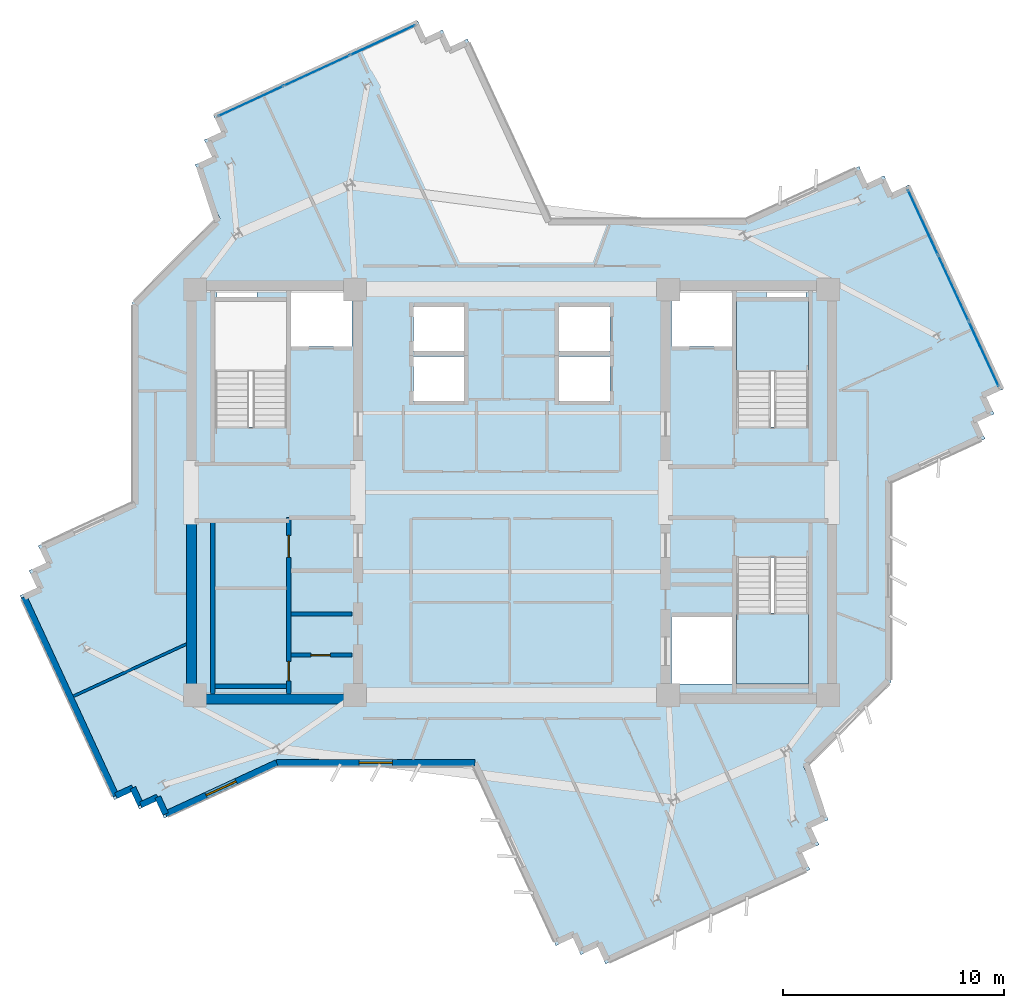
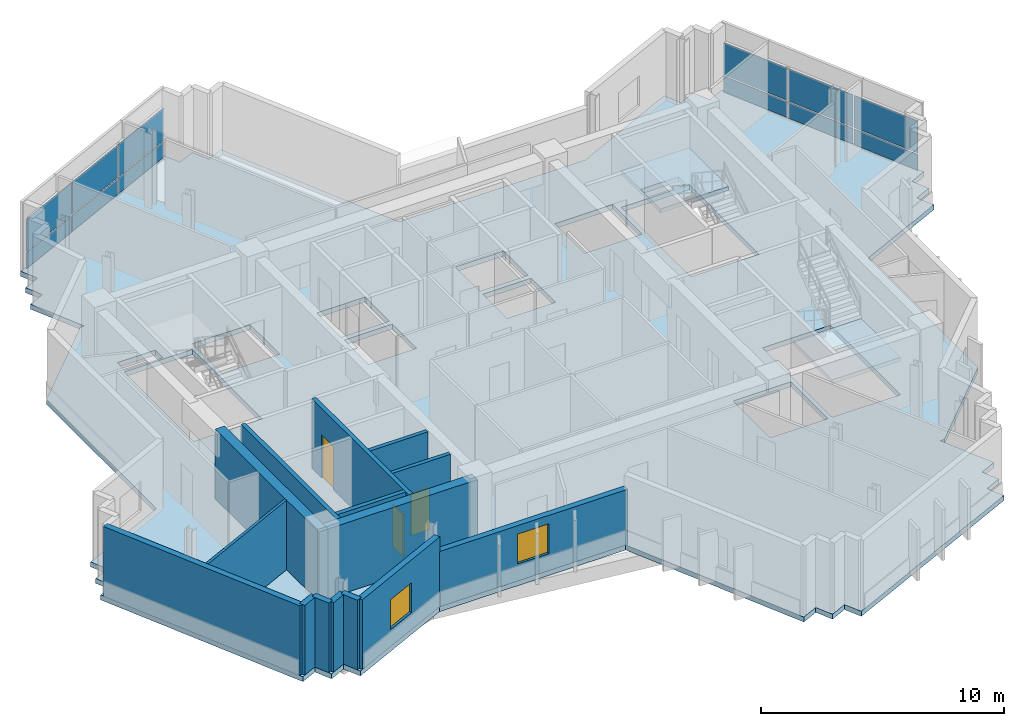
# One storey, part 4 of 12: 15 walls, 12 plates, 3 doors, 3 slabs, 2 windows, 5 openings, 4 elements without a shape of their own.
"""IFC4 building model written with IfcOpenShell, lengths in metres."""

from ifc_helpers import new_model, si_unit, direction, frame, frame_2d, origin, origin_2d, place, context, subcontext, project, spatial, polyline, rectangle, outline, extrude, source, transform, mapped, material, layer, layer_set, type_object, element, fill, aggregate, save


model = new_model("IFC4")

# Units and contexts
model_context = context("Model", 3, precision=1e-05, world=origin(), true_north=direction((0.0, 1.0)))
body_context = subcontext(model_context, "Body", "Model", "MODEL_VIEW")
ifc_project = project(units=[si_unit("LENGTHUNIT", "METRE"), si_unit("AREAUNIT", "SQUARE_METRE"), si_unit("VOLUMEUNIT", "CUBIC_METRE"), si_unit("PLANEANGLEUNIT", "RADIAN"), si_unit("MASSUNIT", "GRAM", prefix="KILO")], contexts=[model_context])

# Site, building, storey
site_placement = place(None, origin())
site = spatial("IfcSite", under=ifc_project, at=site_placement, CompositionType="ELEMENT")
building_placement = place(site_placement, origin())
building = spatial("IfcBuilding", under=site, at=building_placement, Name="Zahravan Cultural Tower", CompositionType="ELEMENT")
storey_placement = place(building_placement, frame((0.0, 0.0, 242.85009765625)))
storey = spatial("IfcBuildingStorey", under=building, at=storey_placement, Name="L57", CompositionType="ELEMENT", Elevation=242.85009765625)

# Stair, slab
ifc_material_1 = material(Name="Concrete C45/55", Category="concrete")
stair_type = type_object("IfcStairType", Name="STR-DL-1550-375", PredefinedType="HALF_TURN_STAIR", material=ifc_material_1)
stair_1_placement = place(storey_placement, origin())
stair_1 = element("IfcStair", 1, at=stair_1_placement, inside=storey, type_object=stair_type, Name="L57 East Core North Exit Stair ST-E1", PredefinedType="HALF_TURN_STAIR")
ifc_layer_1 = layer(ifc_material_1, 0.199951171875)
ifc_layer_set_1 = layer_set([ifc_layer_1], Name="Concrete C45/55")
slab_type_1 = type_object("IfcSlabType", Name="SL-STAIR-LND200", PredefinedType="LANDING", material=ifc_layer_set_1)
slab_1_placement = place(storey_placement, frame((0.0, 0.0, 1.6748046875)))
slab_1 = element("IfcSlab", 2, at=slab_1_placement, type_object=slab_type_1, Name="ST-E1 landing 1", PredefinedType="LANDING", context=body_context, shape_type="SweptSolid", body=[
    extrude(outline(polyline([(49.449951171875, 32.469970703125), (49.449951171875, 35.699951171875), (46.199951171875, 35.699951171875), (46.199951171875, 32.469970703125), (49.449951171875, 32.469970703125)])), origin(), (0.0, 0.0, 1.0), 0.2001953125),
])
aggregate(stair_1, [slab_1])

stair_2_placement = place(storey_placement, origin())
stair_2 = element("IfcStair", 3, at=stair_2_placement, inside=storey, type_object=stair_type, Name="L57 East Core South Exit Stair ST-E2", PredefinedType="HALF_TURN_STAIR")
slab_2_placement = place(storey_placement, frame((0.0, 0.0, 1.6748046875)))
slab_2 = element("IfcSlab", 4, at=slab_2_placement, type_object=slab_type_1, Name="ST-E2 landing 1", PredefinedType="LANDING", context=body_context, shape_type="SweptSolid", body=[
    extrude(outline(polyline([(46.199951171875, 21.530029296875), (46.199951171875, 18.300048828125), (49.449951171875, 18.300048828125), (49.449951171875, 21.530029296875), (46.199951171875, 21.530029296875)])), origin(), (0.0, 0.0, 1.0), 0.2001953125),
])
aggregate(stair_2, [slab_2])

# Slab
ifc_material_2 = material(Name="Concrete C40/50", Category="concrete")
ifc_layer_2 = layer(ifc_material_2, 0.25)
ifc_layer_set_2 = layer_set([ifc_layer_2], Name="Concrete C40/50")
slab_type_2 = type_object("IfcSlabType", Name="SL-TYP-250", PredefinedType="FLOOR", material=ifc_layer_set_2)
slab_3_placement = place(storey_placement, frame((0.0, 0.0, -0.25)))
element("IfcSlab", 5, at=slab_3_placement, inside=storey, type_object=slab_type_2, Name="L57 Structural Floor Slab", PredefinedType="FLOOR", context=body_context, shape_type="SweptSolid", body=[
    extrude(outline(polyline([(46.62451171875, 39.39990234375), (37.76123046875, 39.39990234375), (33.99365234375, 47.553955078125), (33.221923828125, 47.197509765625), (32.865478515625, 47.968994140625), (32.09375, 47.612548828125), (31.7373046875, 48.384033203125), (22.47802734375, 44.105712890625), (22.83447265625, 43.333984375), (22.06298828125, 42.9775390625), (22.41943359375, 42.205810546875), (21.647705078125, 41.849365234375), (22.779541015625, 39.39990234375), (22.60009765625, 39.39990234375), (18.800048828125, 35.60009765625), (18.800048828125, 26.543212890625), (14.538330078125, 24.57421875), (14.894775390625, 23.802490234375), (14.123291015625, 23.446044921875), (14.479736328125, 22.67431640625), (13.7080078125, 22.31787109375), (17.986572265625, 13.05859375), (18.75830078125, 13.4150390625), (19.11474609375, 12.643310546875), (19.88623046875, 13.0), (20.242919921875, 12.228271484375), (25.37548828125, 14.60009765625), (34.23876953125, 14.60009765625), (38.00634765625, 6.446044921875), (38.778076171875, 6.802490234375), (39.134521484375, 6.031005859375), (39.90625, 6.387451171875), (40.2626953125, 5.615966796875), (49.52197265625, 9.894287109375), (49.16552734375, 10.666015625), (49.93701171875, 11.0224609375), (49.58056640625, 11.794189453125), (50.352294921875, 12.150634765625), (49.220458984375, 14.60009765625), (49.39990234375, 14.60009765625), (53.199951171875, 18.39990234375), (53.199951171875, 27.456787109375), (57.461669921875, 29.42578125), (57.105224609375, 30.197509765625), (57.876708984375, 30.553955078125), (57.520263671875, 31.32568359375), (58.2919921875, 31.68212890625), (54.013427734375, 40.94140625), (53.24169921875, 40.5849609375), (52.88525390625, 41.356689453125), (52.11376953125, 41.0), (51.757080078125, 41.771728515625), (46.62451171875, 39.39990234375)]), holes=[polyline([(22.550048828125, 29.949951171875), (22.550048828125, 35.699951171875), (25.800048828125, 35.699951171875), (25.800048828125, 29.949951171875), (22.550048828125, 29.949951171875)]), polyline([(46.199951171875, 29.949951171875), (46.199951171875, 35.699951171875), (49.449951171875, 35.699951171875), (49.449951171875, 29.949951171875), (46.199951171875, 29.949951171875)]), polyline([(46.199951171875, 18.300048828125), (46.199951171875, 24.050048828125), (49.449951171875, 24.050048828125), (49.449951171875, 18.300048828125), (46.199951171875, 18.300048828125)]), polyline([(26.0, 33.60009765625), (26.0, 36.050048828125), (28.75, 36.050048828125), (28.75, 33.60009765625), (26.0, 33.60009765625)]), polyline([(43.25, 33.60009765625), (43.25, 36.050048828125), (46.0, 36.050048828125), (46.0, 33.60009765625), (43.25, 33.60009765625)]), polyline([(43.25, 18.300048828125), (43.25, 21.35009765625), (46.0, 21.35009765625), (46.0, 18.300048828125), (43.25, 18.300048828125)]), polyline([(31.550048828125, 33.39990234375), (31.550048828125, 35.39990234375), (33.85009765625, 35.39990234375), (33.85009765625, 33.39990234375), (31.550048828125, 33.39990234375)]), polyline([(31.550048828125, 31.14990234375), (31.550048828125, 33.14990234375), (33.85009765625, 33.14990234375), (33.85009765625, 31.14990234375), (31.550048828125, 31.14990234375)]), polyline([(38.14990234375, 33.39990234375), (38.14990234375, 35.39990234375), (40.449951171875, 35.39990234375), (40.449951171875, 33.39990234375), (38.14990234375, 33.39990234375)]), polyline([(38.14990234375, 31.14990234375), (38.14990234375, 33.14990234375), (40.449951171875, 33.14990234375), (40.449951171875, 31.14990234375), (38.14990234375, 31.14990234375)]), polyline([(22.64990234375, 35.800048828125), (22.64990234375, 36.419921875), (24.449951171875, 36.419921875), (24.449951171875, 35.800048828125), (22.64990234375, 35.800048828125)]), polyline([(47.550048828125, 35.800048828125), (47.550048828125, 36.419921875), (49.35009765625, 36.419921875), (49.35009765625, 35.800048828125), (47.550048828125, 35.800048828125)])]), origin(), (0.0, 0.0, 1.0), 0.25),
])

# Curtain wall, plates
ifc_material_3 = material(Name="Anodised bronze-aluminium mullion", Category="aluminium")
ifc_layer_3 = layer(ifc_material_3, 0.179931640625)
ifc_layer_set_3 = layer_set([ifc_layer_3], Name="Anodised bronze-aluminium mullion")
curtain_wall_type_1 = type_object("IfcCurtainWallType", Name="CW-SYS-3", PredefinedType="USERDEFINED", material=ifc_layer_set_3)
curtain_wall_1_placement = place(storey_placement, origin())
curtain_wall_1 = element("IfcCurtainWall", 6, at=curtain_wall_1_placement, inside=storey, type_object=curtain_wall_type_1, Name="L57 Recessed Curtain Wall CW-3.1", ObjectType="RECESSED GLAZING", PredefinedType="USERDEFINED")
ifc_material_4 = material(Name="Low-E solar-control double glazing", Category="glass")
ifc_layer_4 = layer(ifc_material_4, 0.028076171875)
ifc_layer_set_4 = layer_set([ifc_layer_4], Name="Low-E solar-control double glazing")
plate_type_1 = type_object("IfcPlateType", Name="CWP-CW-3", PredefinedType="CURTAIN_PANEL", material=ifc_layer_set_4)
shared_shape_1 = source(origin(), body_context, "Body", "SweptSolid", [
    extrude(rectangle(XDim=3.20166015625, YDim=0.028076171875, at=origin_2d()), origin(), (0.0, 0.0, 1.0), 0.794921875),
])
plate_1_placement = place(storey_placement, frame((54.64599609375, 39.239013671875, 0.06982421875), z_axis=(0.0, 0.0, 1.0), x_axis=(0.419457036846, -0.907775189262, 0.0)))
plate_1 = element("IfcPlate", 7, at=plate_1_placement, type_object=plate_type_1, Name="CW-3 panel 1.1", PredefinedType="CURTAIN_PANEL", context=body_context, shape_type="MappedRepresentation", body=[
    mapped(shared_shape_1, transform((0.0, 0.0, 0.0), x_axis=(1.0, 0.0, 0.0), y_axis=(0.0, 1.0, 0.0), z_axis=(0.0, 0.0, 1.0), scale=1.0)),
])
plate_2_placement = place(storey_placement, frame((57.4052734375, 33.267333984375, 0.06982421875), z_axis=(0.0, 0.0, 1.0), x_axis=(0.419457036846, -0.907775189262, 0.0)))
plate_2 = element("IfcPlate", 8, at=plate_2_placement, type_object=plate_type_1, Name="CW-3 panel 3.1", PredefinedType="CURTAIN_PANEL", context=body_context, shape_type="MappedRepresentation", body=[
    mapped(shared_shape_1, transform((0.0, 0.0, 0.0), x_axis=(1.0, 0.0, 0.0), y_axis=(0.0, 1.0, 0.0), z_axis=(0.0, 0.0, 1.0), scale=1.0)),
])
shared_shape_2 = source(origin(), body_context, "Body", "SweptSolid", [
    extrude(rectangle(XDim=3.236572265625, YDim=0.028076171875, at=origin_2d()), origin(), (0.0, 0.0, 1.0), 0.794921875),
])
plate_3_placement = place(storey_placement, frame((56.025634765625, 36.253173828125, 0.06982421875), z_axis=(0.0, 0.0, 1.0), x_axis=(0.419457036846, -0.907775189262, 0.0)))
plate_3 = element("IfcPlate", 9, at=plate_3_placement, type_object=plate_type_1, Name="CW-3 panel 2.1", PredefinedType="CURTAIN_PANEL", context=body_context, shape_type="MappedRepresentation", body=[
    mapped(shared_shape_2, transform((0.0, 0.0, 0.0), x_axis=(1.0, 0.0, 0.0), y_axis=(0.0, 1.0, 0.0), z_axis=(0.0, 0.0, 1.0), scale=1.0)),
])

ifc_layer_5 = layer(ifc_material_3, 0.1650390625)
ifc_layer_set_5 = layer_set([ifc_layer_5], Name="Anodised bronze-aluminium mullion")
curtain_wall_type_2 = type_object("IfcCurtainWallType", Name="CW-SYS-4", PredefinedType="USERDEFINED", material=ifc_layer_set_5)
curtain_wall_2_placement = place(storey_placement, origin())
curtain_wall_2 = element("IfcCurtainWall", 10, at=curtain_wall_2_placement, inside=storey, type_object=curtain_wall_type_2, Name="L57 Recessed Curtain Wall CW-4.2", ObjectType="RECESSED GLAZING", PredefinedType="USERDEFINED")
ifc_layer_6 = layer(ifc_material_4, 0.02587890625)
ifc_layer_set_6 = layer_set([ifc_layer_6], Name="Low-E solar-control double glazing")
plate_type_2 = type_object("IfcPlateType", Name="CWP-CW-4", PredefinedType="CURTAIN_PANEL", material=ifc_layer_set_6)
shared_shape_3 = source(origin(), body_context, "Body", "SweptSolid", [
    extrude(rectangle(XDim=3.209228515625, YDim=0.02587890625, at=origin_2d()), origin(), (0.0, 0.0, 1.0), 0.802490234375),
])
plate_4_placement = place(storey_placement, frame((24.179443359375, 44.737548828125, 0.06494140625), z_axis=(0.0, 0.0, 1.0), x_axis=(0.907775189262, 0.419457036846, 0.0)))
plate_4 = element("IfcPlate", 11, at=plate_4_placement, type_object=plate_type_2, Name="CW-4 panel 1.1", PredefinedType="CURTAIN_PANEL", context=body_context, shape_type="MappedRepresentation", body=[
    mapped(shared_shape_3, transform((0.0, 0.0, 0.0), x_axis=(1.0, 0.0, 0.0), y_axis=(0.0, 1.0, 0.0), z_axis=(0.0, 0.0, 1.0), scale=1.0)),
])
plate_5_placement = place(storey_placement, frame((30.1533203125, 47.498046875, 0.06494140625), z_axis=(0.0, 0.0, 1.0), x_axis=(0.907775189262, 0.419457036846, 0.0)))
plate_5 = element("IfcPlate", 12, at=plate_5_placement, type_object=plate_type_2, Name="CW-4 panel 3.1", PredefinedType="CURTAIN_PANEL", context=body_context, shape_type="MappedRepresentation", body=[
    mapped(shared_shape_3, transform((0.0, 0.0, 0.0), x_axis=(1.0, 0.0, 0.0), y_axis=(0.0, 1.0, 0.0), z_axis=(0.0, 0.0, 1.0), scale=1.0)),
])
shared_shape_4 = source(origin(), body_context, "Body", "SweptSolid", [
    extrude(rectangle(XDim=3.24169921875, YDim=0.02587890625, at=origin_2d()), origin(), (0.0, 0.0, 1.0), 0.802490234375),
])
plate_6_placement = place(storey_placement, frame((27.166259765625, 46.117919921875, 0.06494140625), z_axis=(0.0, 0.0, 1.0), x_axis=(0.907775189262, 0.419457036846, 0.0)))
plate_6 = element("IfcPlate", 13, at=plate_6_placement, type_object=plate_type_2, Name="CW-4 panel 2.1", PredefinedType="CURTAIN_PANEL", context=body_context, shape_type="MappedRepresentation", body=[
    mapped(shared_shape_4, transform((0.0, 0.0, 0.0), x_axis=(1.0, 0.0, 0.0), y_axis=(0.0, 1.0, 0.0), z_axis=(0.0, 0.0, 1.0), scale=1.0)),
])

# Plate
shared_shape_5 = source(origin(), body_context, "Body", "SweptSolid", [
    extrude(rectangle(XDim=3.20166015625, YDim=0.028076171875, at=origin_2d()), origin(), (0.0, 0.0, 1.0), 1.614990234375),
])
plate_7_placement = place(storey_placement, frame((54.64599609375, 39.239013671875, 0.93505859375), z_axis=(0.0, 0.0, 1.0), x_axis=(0.419457036846, -0.907775189262, 0.0)))
plate_7 = element("IfcPlate", 14, at=plate_7_placement, type_object=plate_type_1, Name="CW-3 panel 1.2", PredefinedType="CURTAIN_PANEL", context=body_context, shape_type="MappedRepresentation", body=[
    mapped(shared_shape_5, transform((0.0, 0.0, 0.0), x_axis=(1.0, 0.0, 0.0), y_axis=(0.0, 1.0, 0.0), z_axis=(0.0, 0.0, 1.0), scale=1.0)),
])

plate_8_placement = place(storey_placement, frame((57.4052734375, 33.267333984375, 0.93505859375), z_axis=(0.0, 0.0, 1.0), x_axis=(0.419457036846, -0.907775189262, 0.0)))
plate_8 = element("IfcPlate", 15, at=plate_8_placement, type_object=plate_type_1, Name="CW-3 panel 3.2", PredefinedType="CURTAIN_PANEL", context=body_context, shape_type="MappedRepresentation", body=[
    mapped(shared_shape_5, transform((0.0, 0.0, 0.0), x_axis=(1.0, 0.0, 0.0), y_axis=(0.0, 1.0, 0.0), z_axis=(0.0, 0.0, 1.0), scale=1.0)),
])

shared_shape_6 = source(origin(), body_context, "Body", "SweptSolid", [
    extrude(rectangle(XDim=3.236572265625, YDim=0.028076171875, at=origin_2d()), origin(), (0.0, 0.0, 1.0), 1.614990234375),
])
plate_9_placement = place(storey_placement, frame((56.025634765625, 36.253173828125, 0.93505859375), z_axis=(0.0, 0.0, 1.0), x_axis=(0.419457036846, -0.907775189262, 0.0)))
plate_9 = element("IfcPlate", 16, at=plate_9_placement, type_object=plate_type_1, Name="CW-3 panel 2.2", PredefinedType="CURTAIN_PANEL", context=body_context, shape_type="MappedRepresentation", body=[
    mapped(shared_shape_6, transform((0.0, 0.0, 0.0), x_axis=(1.0, 0.0, 0.0), y_axis=(0.0, 1.0, 0.0), z_axis=(0.0, 0.0, 1.0), scale=1.0)),
])

aggregate(curtain_wall_1, [plate_1, plate_7, plate_3, plate_9, plate_2, plate_8])

shared_shape_7 = source(origin(), body_context, "Body", "SweptSolid", [
    extrude(rectangle(XDim=3.209228515625, YDim=0.02587890625, at=origin_2d()), origin(), (0.0, 0.0, 1.0), 1.62255859375),
])
plate_10_placement = place(storey_placement, frame((24.179443359375, 44.737548828125, 0.932373046875), z_axis=(0.0, 0.0, 1.0), x_axis=(0.907775189262, 0.419457036846, 0.0)))
plate_10 = element("IfcPlate", 17, at=plate_10_placement, type_object=plate_type_2, Name="CW-4 panel 1.2", PredefinedType="CURTAIN_PANEL", context=body_context, shape_type="MappedRepresentation", body=[
    mapped(shared_shape_7, transform((0.0, 0.0, 0.0), x_axis=(1.0, 0.0, 0.0), y_axis=(0.0, 1.0, 0.0), z_axis=(0.0, 0.0, 1.0), scale=1.0)),
])

plate_11_placement = place(storey_placement, frame((30.1533203125, 47.498046875, 0.932373046875), z_axis=(0.0, 0.0, 1.0), x_axis=(0.907775189262, 0.419457036846, 0.0)))
plate_11 = element("IfcPlate", 18, at=plate_11_placement, type_object=plate_type_2, Name="CW-4 panel 3.2", PredefinedType="CURTAIN_PANEL", context=body_context, shape_type="MappedRepresentation", body=[
    mapped(shared_shape_7, transform((0.0, 0.0, 0.0), x_axis=(1.0, 0.0, 0.0), y_axis=(0.0, 1.0, 0.0), z_axis=(0.0, 0.0, 1.0), scale=1.0)),
])

shared_shape_8 = source(origin(), body_context, "Body", "SweptSolid", [
    extrude(rectangle(XDim=3.24169921875, YDim=0.02587890625, at=origin_2d()), origin(), (0.0, 0.0, 1.0), 1.62255859375),
])
plate_12_placement = place(storey_placement, frame((27.166259765625, 46.117919921875, 0.932373046875), z_axis=(0.0, 0.0, 1.0), x_axis=(0.907775189262, 0.419457036846, 0.0)))
plate_12 = element("IfcPlate", 19, at=plate_12_placement, type_object=plate_type_2, Name="CW-4 panel 2.2", PredefinedType="CURTAIN_PANEL", context=body_context, shape_type="MappedRepresentation", body=[
    mapped(shared_shape_8, transform((0.0, 0.0, 0.0), x_axis=(1.0, 0.0, 0.0), y_axis=(0.0, 1.0, 0.0), z_axis=(0.0, 0.0, 1.0), scale=1.0)),
])

aggregate(curtain_wall_2, [plate_4, plate_10, plate_6, plate_12, plate_5, plate_11])

# Wall, opening, window
ifc_material_5 = material(Name="Precast concrete C40/50", Category="concrete")
ifc_layer_7 = layer(ifc_material_5, 0.280029296875)
ifc_layer_set_7 = layer_set([ifc_layer_7], Name="Precast concrete C40/50")
wall_type_1 = type_object("IfcWallType", Name="EW-TC-280", PredefinedType="SOLIDWALL", material=ifc_layer_set_7)
wall_1_placement = place(storey_placement, frame((34.328369140625, 14.739990234375, 0.0), z_axis=(0.0, 0.0, 1.0), x_axis=(-1.0, 0.0, 0.0)))
wall_1 = element("IfcWall", 20, at=wall_1_placement, inside=storey, type_object=wall_type_1, Name="L57 Exterior Masonry Frame Wall 24", PredefinedType="SOLIDWALL", context=body_context, shape_type="SweptSolid", body=[
    extrude(rectangle(XDim=8.983642578125, YDim=0.280029296875, at=frame_2d((4.49169921875, 0.0))), origin(), (0.0, 0.0, 1.0), 2.77197265625),
])
opening_1_placement = place(wall_1_placement, frame((3.741943359375, 0.0, 0.85009765625)))
opening_1 = element("IfcOpeningElement", 21, at=opening_1_placement, cuts=wall_1, Name="Opening WN-03", PredefinedType="OPENING", context=body_context, shape_type="SweptSolid", body=[
    extrude(rectangle(XDim=1.5, YDim=1.5, at=frame_2d((0.75, 0.75))), frame((0.0, 0.14990234375, 0.0), z_axis=(0.0, -1.0, 0.0), x_axis=(1.0, 0.0, 0.0)), (0.0, 0.0, 1.0), 0.300048828125),
])
window_type = type_object("IfcWindowType", Name="WN-REC-1500X1500", PartitioningType="SINGLE_PANEL", PredefinedType="WINDOW", material=ifc_material_4)
shared_shape_9 = source(origin(), body_context, "Body", "SweptSolid", [
    extrude(rectangle(XDim=1.5, YDim=1.5, at=frame_2d((0.75, 0.75))), frame((0.0, 0.030029296875, 0.0), z_axis=(0.0, -1.0, 0.0), x_axis=(1.0, 0.0, 0.0)), (0.0, 0.0, 1.0), 0.06005859375),
])
window_1_placement = place(opening_1_placement, origin())
window_1 = element("IfcWindow", 22, at=window_1_placement, inside=storey, type_object=window_type, Name="L57 Recessed Solar Window 06", OverallHeight=1.5, OverallWidth=1.5, PartitioningType="SINGLE_PANEL", PredefinedType="WINDOW", context=body_context, shape_type="MappedRepresentation", body=[
    mapped(shared_shape_9, transform((0.0, 0.0, 0.0), x_axis=(1.0, 0.0, 0.0), y_axis=(0.0, 1.0, 0.0), z_axis=(0.0, 0.0, 1.0), scale=1.0)),
])
fill(opening_1, window_1)

wall_2_placement = place(storey_placement, frame((25.3447265625, 14.739990234375, 0.0), z_axis=(0.0, 0.0, 1.0), x_axis=(-0.907767275269, -0.419474163627, 0.0)))
wall_2 = element("IfcWall", 23, at=wall_2_placement, inside=storey, type_object=wall_type_1, Name="L57 Exterior Masonry Frame Wall 25", PredefinedType="SOLIDWALL", context=body_context, shape_type="SweptSolid", body=[
    extrude(rectangle(XDim=5.544921875, YDim=0.280029296875, at=frame_2d((2.7724609375, 0.0))), origin(), (0.0, 0.0, 1.0), 3.5),
])
opening_2_placement = place(wall_2_placement, frame((2.02197265625, 0.0, 0.85009765625)))
opening_2 = element("IfcOpeningElement", 24, at=opening_2_placement, cuts=wall_2, Name="Opening WN-03", PredefinedType="OPENING", context=body_context, shape_type="SweptSolid", body=[
    extrude(rectangle(XDim=1.5, YDim=1.5, at=frame_2d((0.75, 0.75))), frame((0.0, 0.14990234375, 0.0), z_axis=(0.0, -1.0, 0.0), x_axis=(1.0, 0.0, 0.0)), (0.0, 0.0, 1.0), 0.300048828125),
])
window_2_placement = place(opening_2_placement, origin())
window_2 = element("IfcWindow", 25, at=window_2_placement, inside=storey, type_object=window_type, Name="L57 Recessed Solar Window 07", OverallHeight=1.5, OverallWidth=1.5, PartitioningType="SINGLE_PANEL", PredefinedType="WINDOW", context=body_context, shape_type="MappedRepresentation", body=[
    mapped(shared_shape_9, transform((0.0, 0.0, 0.0), x_axis=(1.0, 0.0, 0.0), y_axis=(0.0, 1.0, 0.0), z_axis=(0.0, 0.0, 1.0), scale=1.0)),
])
fill(opening_2, window_2)

# Wall, opening, door
ifc_material_6 = material(Name="Gypsum plasterboard partition")
ifc_layer_8 = layer(ifc_material_6, 0.179931640625)
ifc_layer_set_8 = layer_set([ifc_layer_8], Name="Gypsum plasterboard partition")
wall_type_2 = type_object("IfcWallType", Name="W-COMP-180", PredefinedType="PARTITIONING", material=ifc_layer_set_8)
wall_3_placement = place(storey_placement, frame((26.0, 19.6201171875, 0.0), z_axis=(0.0, 0.0, 1.0), x_axis=(1.0, 0.0, 0.0)))
wall_3 = element("IfcWall", 26, at=wall_3_placement, inside=storey, type_object=wall_type_2, Name="L57 Interior Wall 027", PredefinedType="PARTITIONING", context=body_context, shape_type="SweptSolid", body=[
    extrude(rectangle(XDim=2.75, YDim=0.179931640625, at=frame_2d((1.375, 0.0))), origin(), (0.0, 0.0, 1.0), 3.5),
])
opening_3_placement = place(wall_3_placement, frame((0.89990234375, 0.0, 0.0)))
opening_3 = element("IfcOpeningElement", 27, at=opening_3_placement, cuts=wall_3, Name="Opening D-L57-10", PredefinedType="OPENING", context=body_context, shape_type="SweptSolid", body=[
    extrude(rectangle(XDim=0.8798828125, YDim=2.10009765625, at=frame_2d((0.43994140625, 1.050048828125))), frame((0.0, 0.099853515625, 0.0), z_axis=(0.0, -1.0, 0.0), x_axis=(1.0, 0.0, 0.0)), (0.0, 0.0, 1.0), 0.199951171875),
])
ifc_material_7 = material(Name="Steel ASTM A572 Grade 50", Category="steel")
door_type_1 = type_object("IfcDoorType", Name="DR-SVC-880", OperationType="NOTDEFINED", PredefinedType="DOOR", material=ifc_material_7)
shared_shape_10 = source(origin(), body_context, "Body", "SweptSolid", [
    extrude(rectangle(XDim=0.8798828125, YDim=2.10009765625, at=frame_2d((0.43994140625, 1.050048828125))), frame((0.0, 0.02490234375, 0.0), z_axis=(0.0, -1.0, 0.0), x_axis=(1.0, 0.0, 0.0)), (0.0, 0.0, 1.0), 0.050048828125),
])
door_1_placement = place(opening_3_placement, origin())
door_1 = element("IfcDoor", 28, at=door_1_placement, inside=storey, type_object=door_type_1, Name="L57 Door D-L57-10", OperationType="SINGLE_SWING_RIGHT", OverallHeight=2.10009765625, OverallWidth=0.8798828125, PredefinedType="DOOR", context=body_context, shape_type="MappedRepresentation", body=[
    mapped(shared_shape_10, transform((0.0, 0.0, 0.0), x_axis=(1.0, 0.0, 0.0), y_axis=(0.0, 1.0, 0.0), z_axis=(0.0, 0.0, 1.0), scale=1.0)),
])
fill(opening_3, door_1)

# Wall, openings, doors
ifc_layer_9 = layer(ifc_material_1, 0.199951171875)
ifc_layer_set_9 = layer_set([ifc_layer_9], Name="Concrete C45/55")
wall_type_3 = type_object("IfcWallType", Name="W-SHAFT-200", PredefinedType="SOLIDWALL", material=ifc_layer_set_9)
wall_4_placement = place(storey_placement, frame((25.89990234375, 17.85009765625, 0.0), z_axis=(0.0, 0.0, 1.0), x_axis=(0.0, 1.0, 0.0)))
wall_4 = element("IfcWall", 29, at=wall_4_placement, inside=storey, type_object=wall_type_3, Name="L57 Interior Wall 005", PredefinedType="SOLIDWALL", context=body_context, shape_type="SweptSolid", body=[
    extrude(rectangle(XDim=8.0, YDim=0.199951171875, at=frame_2d((4.0, 0.0))), origin(), (0.0, 0.0, 1.0), 3.5),
])
opening_4_placement = place(wall_4_placement, frame((6.199951171875, 0.0, 0.0)))
opening_4 = element("IfcOpeningElement", 30, at=opening_4_placement, cuts=wall_4, Name="Opening D-L57-04", PredefinedType="OPENING", context=body_context, shape_type="SweptSolid", body=[
    extrude(rectangle(XDim=1.0, YDim=2.14990234375, at=frame_2d((0.5, 1.074951171875))), frame((0.0, 0.10986328125, 0.0), z_axis=(0.0, -1.0, 0.0), x_axis=(1.0, 0.0, 0.0)), (0.0, 0.0, 1.0), 0.219970703125),
])
opening_5_placement = place(wall_4_placement, frame((0.60009765625, 0.0, 0.0)))
opening_5 = element("IfcOpeningElement", 31, at=opening_5_placement, cuts=wall_4, Name="Opening D-L57-05", PredefinedType="OPENING", context=body_context, shape_type="SweptSolid", body=[
    extrude(rectangle(XDim=0.8798828125, YDim=2.10009765625, at=frame_2d((0.43994140625, 1.050048828125))), frame((0.0, 0.10986328125, 0.0), z_axis=(0.0, -1.0, 0.0), x_axis=(1.0, 0.0, 0.0)), (0.0, 0.0, 1.0), 0.219970703125),
])
door_2_placement = place(opening_5_placement, origin())
door_2 = element("IfcDoor", 32, at=door_2_placement, inside=storey, type_object=door_type_1, Name="L57 Door D-L57-05", OperationType="SINGLE_SWING_LEFT", OverallHeight=2.10009765625, OverallWidth=0.8798828125, PredefinedType="DOOR", context=body_context, shape_type="MappedRepresentation", body=[
    mapped(shared_shape_10, transform((0.0, 0.0, 0.0), x_axis=(1.0, 0.0, 0.0), y_axis=(0.0, 1.0, 0.0), z_axis=(0.0, 0.0, 1.0), scale=1.0)),
])
fill(opening_5, door_2)
door_type_2 = type_object("IfcDoorType", Name="DR-COMP-1000", OperationType="NOTDEFINED", PredefinedType="DOOR", material=ifc_material_7)
shared_shape_11 = source(origin(), body_context, "Body", "SweptSolid", [
    extrude(rectangle(XDim=1.0, YDim=2.14990234375, at=frame_2d((0.5, 1.074951171875))), frame((0.0, 0.02490234375, 0.0), z_axis=(0.0, -1.0, 0.0), x_axis=(1.0, 0.0, 0.0)), (0.0, 0.0, 1.0), 0.050048828125),
])
door_3_placement = place(opening_4_placement, origin())
door_3 = element("IfcDoor", 33, at=door_3_placement, inside=storey, type_object=door_type_2, Name="L57 Door D-L57-04", OperationType="SINGLE_SWING_RIGHT", OverallHeight=2.14990234375, OverallWidth=1.0, PredefinedType="DOOR", context=body_context, shape_type="MappedRepresentation", body=[
    mapped(shared_shape_11, transform((0.0, 0.0, 0.0), x_axis=(1.0, 0.0, 0.0), y_axis=(0.0, 1.0, 0.0), z_axis=(0.0, 0.0, 1.0), scale=1.0)),
])
fill(opening_4, door_3)

# Walls
ifc_material_8 = material(Name="Concrete C50/60", Category="concrete")
ifc_layer_10 = layer(ifc_material_8, 0.449951171875)
ifc_layer_set_10 = layer_set([ifc_layer_10], Name="Concrete C50/60")
wall_type_4 = type_object("IfcWallType", Name="CW-SHEAR-450-C50", PredefinedType="SHEAR", material=ifc_layer_set_10)
shared_shape_12 = source(origin(), body_context, "Body", "SweptSolid", [
    extrude(rectangle(XDim=8.550048828125, YDim=0.449951171875, at=frame_2d((4.27490234375, 0.0))), origin(), (0.0, 0.0, 1.0), 3.5),
])
wall_5_placement = place(storey_placement, frame((21.47509765625, 17.39990234375, 0.0), z_axis=(0.0, 0.0, 1.0), x_axis=(0.0, 1.0, 0.0)))
element("IfcWall", 34, at=wall_5_placement, inside=storey, type_object=wall_type_4, Name="L57 Core Shear Wall CW-W-WS-L57", PredefinedType="SHEAR", context=body_context, shape_type="MappedRepresentation", body=[
    mapped(shared_shape_12, transform((0.0, 0.0, 0.0), x_axis=(1.0, 0.0, 0.0), y_axis=(0.0, 1.0, 0.0), z_axis=(0.0, 0.0, 1.0), scale=1.0)),
])
shared_shape_13 = source(origin(), body_context, "Body", "SweptSolid", [
    extrude(rectangle(XDim=7.10009765625, YDim=0.449951171875, at=frame_2d((3.550048828125, 0.0))), origin(), (0.0, 0.0, 1.0), 3.5),
])
wall_6_placement = place(storey_placement, frame((21.699951171875, 17.625, 0.0), z_axis=(0.0, 0.0, 1.0), x_axis=(1.0, 0.0, 0.0)))
element("IfcWall", 35, at=wall_6_placement, inside=storey, type_object=wall_type_4, Name="L57 Core Shear Wall CW-W-S-L57", PredefinedType="SHEAR", context=body_context, shape_type="MappedRepresentation", body=[
    mapped(shared_shape_13, transform((0.0, 0.0, 0.0), x_axis=(1.0, 0.0, 0.0), y_axis=(0.0, 1.0, 0.0), z_axis=(0.0, 0.0, 1.0), scale=1.0)),
])
shared_shape_14 = source(origin(), body_context, "Body", "SweptSolid", [
    extrude(rectangle(XDim=0.85009765625, YDim=0.280029296875, at=frame_2d((0.425048828125, 0.0))), origin(), (0.0, 0.0, 1.0), 3.5),
])
for number, where, z_axis, x_axis, name in (
    (36, (20.311279296875, 12.4140625, 0.0), (0.0, 0.0, 1.0), (-0.419549800563, 0.907732320041, 0.0), "L57 Exterior Masonry Frame Wall 26"),
    (37, (19.18310546875, 12.8291015625, 0.0), (0.0, 0.0, 1.0), (-0.419313139191, 0.907841666427, 0.0), "L57 Exterior Masonry Frame Wall 28"),
    (38, (18.82666015625, 13.600830078125, 0.0), (0.0, 0.0, 1.0), (-0.907841666427, -0.419313139191, 0.0), "L57 Exterior Masonry Frame Wall 29"),
):
    element("IfcWall", number, at=place(storey_placement, frame(where, z_axis=z_axis, x_axis=x_axis)), inside=storey, type_object=wall_type_1, Name=name, PredefinedType="SOLIDWALL", context=body_context, shape_type="MappedRepresentation", body=[
        mapped(shared_shape_14, transform((0.0, 0.0, 0.0), x_axis=(1.0, 0.0, 0.0), y_axis=(0.0, 1.0, 0.0), z_axis=(0.0, 0.0, 1.0), scale=1.0)),
    ])
shared_shape_15 = source(origin(), body_context, "Body", "SweptSolid", [
    extrude(rectangle(XDim=0.849853515625, YDim=0.280029296875, at=frame_2d((0.4248046875, 0.0))), origin(), (0.0, 0.0, 1.0), 3.5),
])
wall_7_placement = place(storey_placement, frame((19.95458984375, 13.185791015625, 0.0), z_axis=(0.0, 0.0, 1.0), x_axis=(-0.907681752694, -0.41965919009, 0.0)))
element("IfcWall", 39, at=wall_7_placement, inside=storey, type_object=wall_type_1, Name="L57 Exterior Masonry Frame Wall 27", PredefinedType="SOLIDWALL", context=body_context, shape_type="MappedRepresentation", body=[
    mapped(shared_shape_15, transform((0.0, 0.0, 0.0), x_axis=(1.0, 0.0, 0.0), y_axis=(0.0, 1.0, 0.0), z_axis=(0.0, 0.0, 1.0), scale=1.0)),
])
shared_shape_16 = source(origin(), body_context, "Body", "SweptSolid", [
    extrude(rectangle(XDim=9.920166015625, YDim=0.280029296875, at=frame_2d((4.9599609375, 0.0))), origin(), (0.0, 0.0, 1.0), 3.5),
])
wall_8_placement = place(storey_placement, frame((18.054931640625, 13.244384765625, 0.0), z_axis=(0.0, 0.0, 1.0), x_axis=(-0.41946703495, 0.907770569357, 0.0)))
element("IfcWall", 40, at=wall_8_placement, inside=storey, type_object=wall_type_1, Name="L57 Exterior Masonry Frame Wall 30", PredefinedType="SOLIDWALL", context=body_context, shape_type="MappedRepresentation", body=[
    mapped(shared_shape_16, transform((0.0, 0.0, 0.0), x_axis=(1.0, 0.0, 0.0), y_axis=(0.0, 1.0, 0.0), z_axis=(0.0, 0.0, 1.0), scale=1.0)),
])
shared_shape_17 = source(origin(), body_context, "Body", "SweptSolid", [
    extrude(rectangle(XDim=7.869873046875, YDim=0.199951171875, at=frame_2d((3.93505859375, 0.0))), origin(), (0.0, 0.0, 1.0), 3.5),
])
wall_9_placement = place(storey_placement, frame((22.449951171875, 17.85009765625, 0.0), z_axis=(0.0, 0.0, 1.0), x_axis=(0.0, 1.0, 0.0)))
element("IfcWall", 41, at=wall_9_placement, inside=storey, type_object=wall_type_3, Name="L57 Interior Wall 001", PredefinedType="SOLIDWALL", context=body_context, shape_type="MappedRepresentation", body=[
    mapped(shared_shape_17, transform((0.0, 0.0, 0.0), x_axis=(1.0, 0.0, 0.0), y_axis=(0.0, 1.0, 0.0), z_axis=(0.0, 0.0, 1.0), scale=1.0)),
])
shared_shape_18 = source(origin(), body_context, "Body", "SweptSolid", [
    extrude(rectangle(XDim=3.25, YDim=0.199951171875, at=frame_2d((1.625, 0.0))), origin(), (0.0, 0.0, 1.0), 3.5),
])
wall_10_placement = place(storey_placement, frame((22.550048828125, 18.199951171875, 0.0), z_axis=(0.0, 0.0, 1.0), x_axis=(1.0, 0.0, 0.0)))
element("IfcWall", 42, at=wall_10_placement, inside=storey, type_object=wall_type_3, Name="L57 Interior Wall 019", PredefinedType="SOLIDWALL", context=body_context, shape_type="MappedRepresentation", body=[
    mapped(shared_shape_18, transform((0.0, 0.0, 0.0), x_axis=(1.0, 0.0, 0.0), y_axis=(0.0, 1.0, 0.0), z_axis=(0.0, 0.0, 1.0), scale=1.0)),
])
shared_shape_19 = source(origin(), body_context, "Body", "SweptSolid", [
    extrude(rectangle(XDim=2.75, YDim=0.179931640625, at=frame_2d((1.375, 0.0))), origin(), (0.0, 0.0, 1.0), 3.5),
])
wall_11_placement = place(storey_placement, frame((26.0, 21.47998046875, 0.0), z_axis=(0.0, 0.0, 1.0), x_axis=(1.0, 0.0, 0.0)))
element("IfcWall", 43, at=wall_11_placement, inside=storey, type_object=wall_type_2, Name="L57 Interior Wall 028", PredefinedType="PARTITIONING", context=body_context, shape_type="MappedRepresentation", body=[
    mapped(shared_shape_19, transform((0.0, 0.0, 0.0), x_axis=(1.0, 0.0, 0.0), y_axis=(0.0, 1.0, 0.0), z_axis=(0.0, 0.0, 1.0), scale=1.0)),
])
ifc_layer_11 = layer(ifc_material_6, 0.125)
ifc_layer_set_11 = layer_set([ifc_layer_11], Name="Gypsum plasterboard partition")
wall_type_5 = type_object("IfcWallType", Name="W-PART-125", PredefinedType="PARTITIONING", material=ifc_layer_set_11)
shared_shape_20 = source(origin(), body_context, "Body", "SweptSolid", [
    extrude(rectangle(XDim=5.633544921875, YDim=0.125, at=frame_2d((2.81689453125, 0.0))), origin(), (0.0, 0.0, 1.0), 3.5),
])
wall_12_placement = place(storey_placement, frame((21.2451171875, 20.1162109375, 0.0), z_axis=(0.0, 0.0, 1.0), x_axis=(-0.90777538002, -0.419456624014, 0.0)))
element("IfcWall", 44, at=wall_12_placement, inside=storey, type_object=wall_type_5, Name="L57 Interior Wall 099", PredefinedType="PARTITIONING", context=body_context, shape_type="MappedRepresentation", body=[
    mapped(shared_shape_20, transform((0.0, 0.0, 0.0), x_axis=(1.0, 0.0, 0.0), y_axis=(0.0, 1.0, 0.0), z_axis=(0.0, 0.0, 1.0), scale=1.0)),
])

save(model, "model.ifc")
